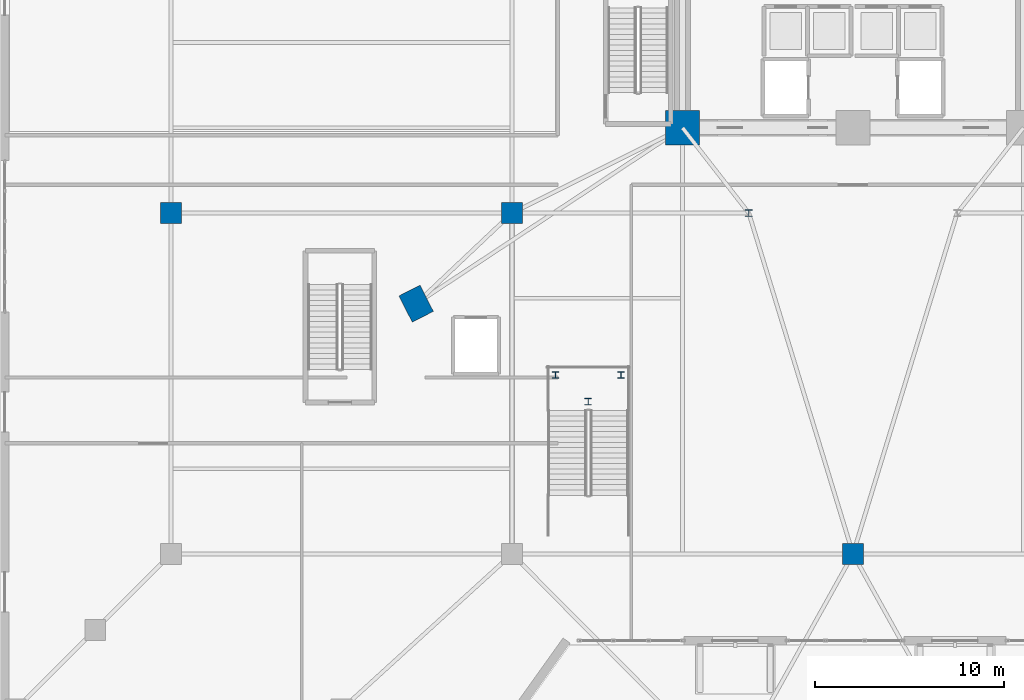
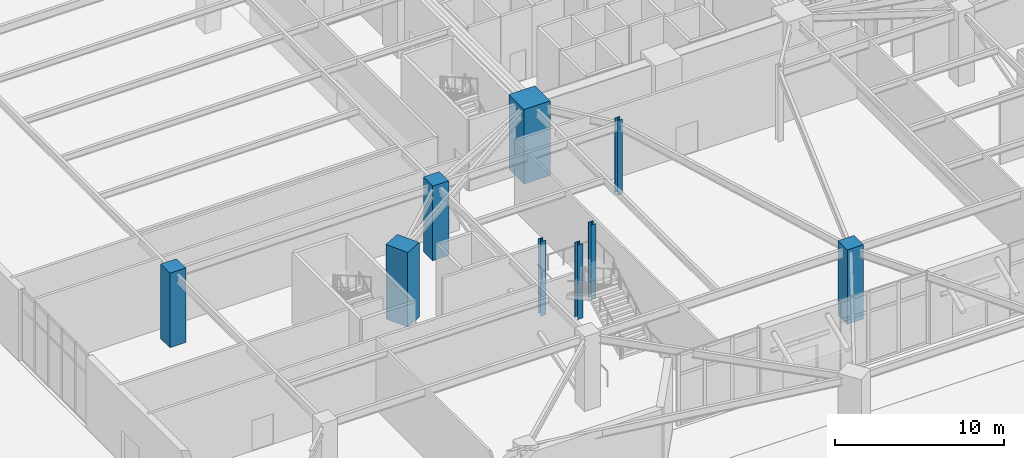
# One storey, part 2 of 30: 9 columns.
"""IFC4 building model written with IfcOpenShell, lengths in metres."""

from ifc_helpers import new_model, si_unit, direction, frame, origin, origin_2d, place, context, subcontext, project, spatial, rectangle, i_section, extrude, source, transform, mapped, material, material_profile, profile_set, type_object, element, save


model = new_model("IFC4")

# Units and contexts
model_context = context("Model", 3, precision=1e-05, world=origin(), true_north=direction((0.0, 1.0)))
body_context = subcontext(model_context, "Body", "Model", "MODEL_VIEW")
ifc_project = project(units=[si_unit("LENGTHUNIT", "METRE"), si_unit("AREAUNIT", "SQUARE_METRE"), si_unit("VOLUMEUNIT", "CUBIC_METRE"), si_unit("PLANEANGLEUNIT", "RADIAN"), si_unit("MASSUNIT", "GRAM", prefix="KILO")], contexts=[model_context])

# Site, building, storey
site_placement = place(None, origin())
site = spatial("IfcSite", under=ifc_project, at=site_placement, CompositionType="ELEMENT")
building_placement = place(site_placement, origin())
building = spatial("IfcBuilding", under=site, at=building_placement, Name="Liaohun Quay Tower", CompositionType="ELEMENT")
storey_placement = place(building_placement, origin())
storey = spatial("IfcBuildingStorey", under=building, at=storey_placement, Name="L01", CompositionType="ELEMENT", Elevation=0.0)

# Columns
ifc_material_1 = material(Name="Concrete C60", Category="concrete")
ifc_material_profile_1 = material_profile(ifc_material_1, rectangle(XDim=1.800048828125, YDim=1.800048828125, at=origin_2d()), Name="RC1800x1800")
ifc_profile_set_1 = profile_set([ifc_material_profile_1], Name="Concrete C60")
column_type_1 = type_object("IfcColumnType", Name="COL-CC-B", PredefinedType="COLUMN", material=ifc_profile_set_1)
shared_shape_1 = source(origin(), body_context, "Body", "SweptSolid", [
    extrude(rectangle(XDim=1.800048828125, YDim=1.800048828125, at=origin_2d()), origin(), (0.0, 0.0, 1.0), 5.39990234375),
])
column_1_placement = place(storey_placement, frame((51.0, 46.5, 0.0), z_axis=(0.0, 0.0, 1.0), x_axis=(1.0, 0.0, 0.0)))
element("IfcColumn", 1, at=column_1_placement, inside=storey, type_object=column_type_1, Name="L01 Core Column CC1", PredefinedType="COLUMN", context=body_context, shape_type="MappedRepresentation", body=[
    mapped(shared_shape_1, transform((0.0, 0.0, 0.0), x_axis=(1.0, 0.0, 0.0), y_axis=(0.0, 1.0, 0.0), z_axis=(0.0, 0.0, 1.0), scale=1.0)),
])
ifc_material_profile_2 = material_profile(ifc_material_1, rectangle(XDim=1.550048828125, YDim=1.25, at=origin_2d()), Name="RC1550x1250")
ifc_profile_set_2 = profile_set([ifc_material_profile_2], Name="Concrete C60")
column_type_2 = type_object("IfcColumnType", Name="COL-PIER-Z1", PredefinedType="COLUMN", material=ifc_profile_set_2)
shared_shape_2 = source(origin(), body_context, "Body", "SweptSolid", [
    extrude(rectangle(XDim=1.550048828125, YDim=1.25, at=origin_2d()), origin(), (0.0, 0.0, 1.0), 5.39990234375),
])
column_2_placement = place(storey_placement, frame((36.94091796875, 37.217041015625, 0.0), z_axis=(0.0, 0.0, 1.0), x_axis=(-0.451500573218, 0.892270829056, 0.0)))
element("IfcColumn", 2, at=column_2_placement, inside=storey, type_object=column_type_2, Name="L01 Tower Mega-Pier PC02", PredefinedType="COLUMN", context=body_context, shape_type="MappedRepresentation", body=[
    mapped(shared_shape_2, transform((0.0, 0.0, 0.0), x_axis=(1.0, 0.0, 0.0), y_axis=(0.0, 1.0, 0.0), z_axis=(0.0, 0.0, 1.0), scale=1.0)),
])
ifc_material_2 = material(Name="Concrete C55", Category="concrete")
ifc_material_profile_3 = material_profile(ifc_material_2, rectangle(XDim=1.10009765625, YDim=1.10009765625, at=origin_2d()), Name="RC1100x1100")
ifc_profile_set_3 = profile_set([ifc_material_profile_3], Name="Concrete C55")
column_type_3 = type_object("IfcColumnType", Name="COL-POD-P", PredefinedType="COLUMN", material=ifc_profile_set_3)
shared_shape_3 = source(origin(), body_context, "Body", "SweptSolid", [
    extrude(rectangle(XDim=1.10009765625, YDim=1.10009765625, at=origin_2d()), origin(), (0.0, 0.0, 1.0), 5.39990234375),
])
for number, where, z_axis, x_axis, name in (
    (3, (60.0, 24.0, 0.0), (0.0, 0.0, 1.0), (1.0, 0.0, 0.0), "L01 Podium Column PG03"),
    (4, (24.0, 42.0, 0.0), (0.0, 0.0, 1.0), (1.0, 0.0, 0.0), "L01 Podium Column PG06"),
    (5, (42.0, 42.0, 0.0), (0.0, 0.0, 1.0), (1.0, 0.0, 0.0), "L01 Podium Column PG07"),
):
    element("IfcColumn", number, at=place(storey_placement, frame(where, z_axis=z_axis, x_axis=x_axis)), inside=storey, type_object=column_type_3, Name=name, PredefinedType="COLUMN", context=body_context, shape_type="MappedRepresentation", body=[
        mapped(shared_shape_3, transform((0.0, 0.0, 0.0), x_axis=(1.0, 0.0, 0.0), y_axis=(0.0, 1.0, 0.0), z_axis=(0.0, 0.0, 1.0), scale=1.0)),
    ])
ifc_material_3 = material(Name="Steel Q355D", Category="steel")
ifc_material_profile_4 = material_profile(ifc_material_3, i_section(OverallWidth=0.35009765625, OverallDepth=0.35009765625, WebThickness=0.011962890625, FlangeThickness=0.01904296875, at=origin_2d()), Name="HW350x350x12x19")
ifc_profile_set_4 = profile_set([ifc_material_profile_4], Name="Steel Q355D")
column_type_4 = type_object("IfcColumnType", Name="COL-STL-ATR", PredefinedType="COLUMN", material=ifc_profile_set_4)
shared_shape_4 = source(origin(), body_context, "Body", "SweptSolid", [
    extrude(i_section(OverallWidth=0.35009765625, OverallDepth=0.35009765625, WebThickness=0.011962890625, FlangeThickness=0.01904296875, at=origin_2d()), origin(), (0.0, 0.0, 1.0), 5.39990234375),
])
for number, where, z_axis, x_axis, name in (
    (6, (54.5, 42.0, 0.0), (0.0, 0.0, 1.0), (1.0, 0.0, 0.0), "L01 Atrium Feature Column AT1"),
    (7, (44.300048828125, 33.449951171875, 0.0), (0.0, 0.0, 1.0), (1.0, 0.0, 0.0), "L01 Monumental Stair Support Post STA1"),
    (8, (47.75, 33.449951171875, 0.0), (0.0, 0.0, 1.0), (1.0, 0.0, 0.0), "L01 Monumental Stair Support Post STA2"),
    (9, (46.02001953125, 32.050048828125, 0.0), (0.0, 0.0, 1.0), (1.0, 0.0, 0.0), "L01 Monumental Stair Support Post STA3"),
):
    element("IfcColumn", number, at=place(storey_placement, frame(where, z_axis=z_axis, x_axis=x_axis)), inside=storey, type_object=column_type_4, Name=name, PredefinedType="COLUMN", context=body_context, shape_type="MappedRepresentation", body=[
        mapped(shared_shape_4, transform((0.0, 0.0, 0.0), x_axis=(1.0, 0.0, 0.0), y_axis=(0.0, 1.0, 0.0), z_axis=(0.0, 0.0, 1.0), scale=1.0)),
    ])

save(model, "model.ifc")
